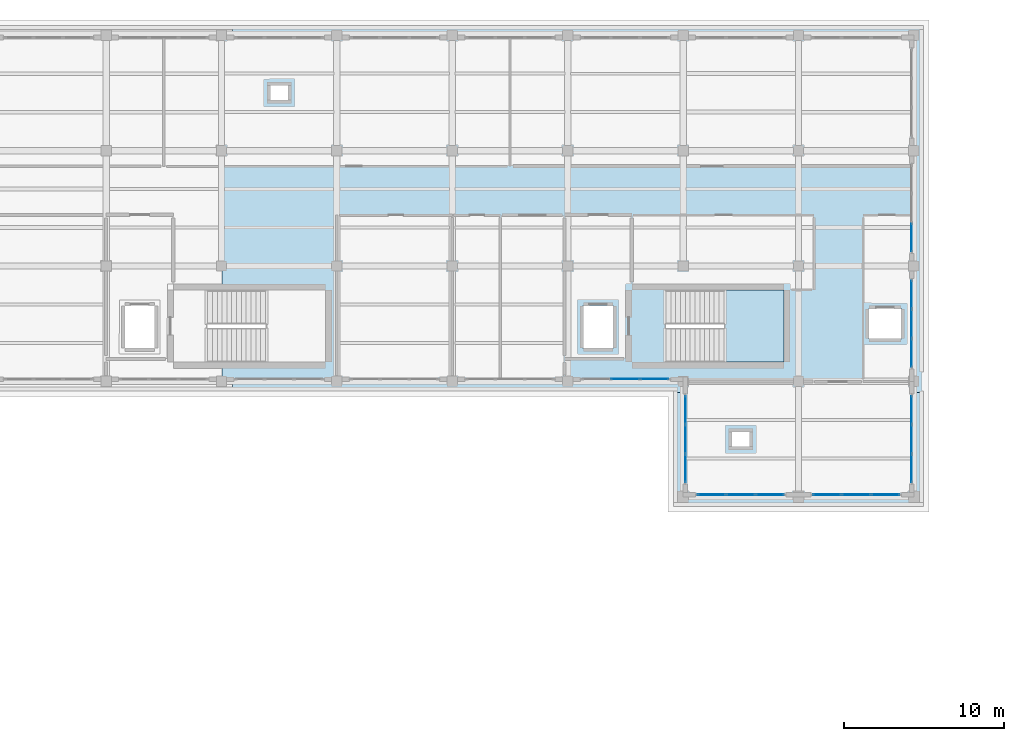
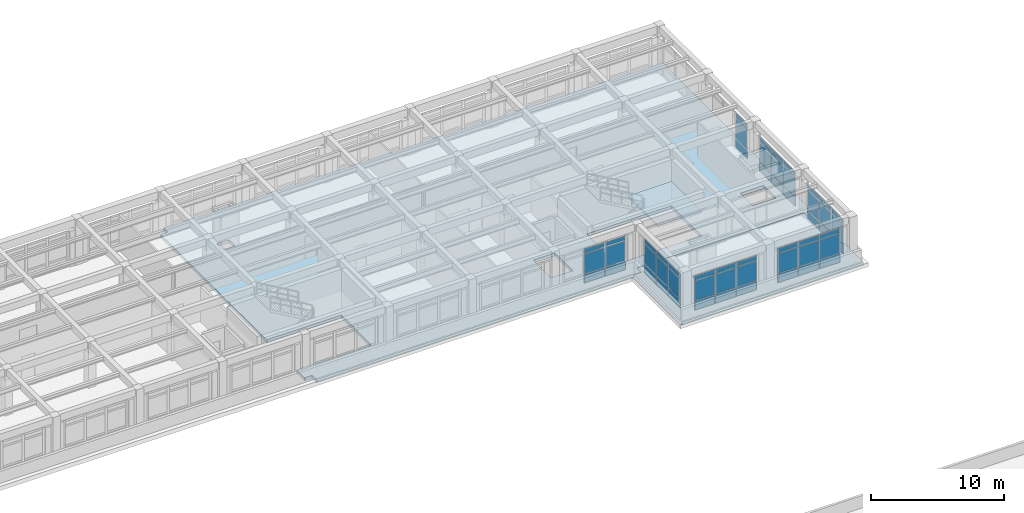
# One storey, part 40 of 55: 54 plates, 3 slabs, 8 elements without a shape of their own.
"""IFC4 building model written with IfcOpenShell, lengths in metres."""

import ifcopenshell
import ifcopenshell.guid

model = None  # the IFC model being written
_history = None  # IfcOwnerHistory: only IFC2X3 demands one
_inside = {}  # id of a spatial element -> (the spatial element, [elements in it])
_under = {}  # id of a project, library or spatial element -> (it, [spatial elements below it])
_declared = {}  # id of a project -> (the project, [libraries it declares])
_typed = {}  # id of a type object -> (the type object, [elements of that type])
_made_of = {}  # id of a material, layer set ... -> (it, [elements and type objects made of it])


def new_model(schema):
    """Start an empty IFC model of exactly this schema.

    Asked for "IFC4X3", IfcOpenShell would pick the latest addendum, in which some entities
    have other attributes; the version numbers below select the first issue.
    IFC2X3 requires an IfcOwnerHistory on every rooted entity: one is made here for all.
    """
    global model, _history
    if schema == "IFC4X3":
        model = ifcopenshell.file(schema_version=(4, 3, 0, 0))
    else:
        model = ifcopenshell.file(schema=schema)
    _inside.clear()
    _under.clear()
    _declared.clear()
    _typed.clear()
    _made_of.clear()
    _history = None
    if model.schema == "IFC2X3":
        org = make("IfcOrganization", Name="unknown")
        user = make(
            "IfcPersonAndOrganization",
            ThePerson=make("IfcPerson", FamilyName="unknown"),
            TheOrganization=org,
        )
        app = make(
            "IfcApplication",
            ApplicationDeveloper=org,
            Version="unknown",
            ApplicationFullName="unknown",
            ApplicationIdentifier="unknown",
        )
        _history = make(
            "IfcOwnerHistory",
            OwningUser=user,
            OwningApplication=app,
            ChangeAction="ADDED",
            CreationDate=0,
        )
    return model


def make(cls, **values):
    """One entity of the class cls with the attributes given. An attribute that is None is left unset."""
    return model.create_entity(
        cls, **{name: value for name, value in values.items() if value is not None}
    )


def rooted(cls, **values):
    """An entity with a GlobalId (a new one), such as an element, a storey or a relation."""
    return make(cls, GlobalId=ifcopenshell.guid.new(), OwnerHistory=_history, **values)


def si_unit(unit_type, name, prefix=None):
    """IfcSIUnit, for example si_unit("LENGTHUNIT", "METRE", prefix="MILLI")."""
    return make("IfcSIUnit", UnitType=unit_type, Prefix=prefix, Name=name)


def assignment(units):
    """IfcUnitAssignment: the units of a project."""
    return None if units is None else make("IfcUnitAssignment", Units=units)


def point(xyz):
    """IfcCartesianPoint."""
    return None if xyz is None else make("IfcCartesianPoint", Coordinates=xyz)


def direction(xyz):
    """IfcDirection."""
    return None if xyz is None else make("IfcDirection", DirectionRatios=xyz)


def frame(location, z_axis=None, x_axis=None):
    """IfcAxis2Placement3D, a coordinate frame: its origin and axes. An axis left out is left unset."""
    return make(
        "IfcAxis2Placement3D",
        Location=point(location),
        Axis=direction(z_axis),
        RefDirection=direction(x_axis),
    )


def frame_2d(location, x_axis=None):
    """IfcAxis2Placement2D, a coordinate frame in the plane: its origin and x axis."""
    return make(
        "IfcAxis2Placement2D", Location=point(location), RefDirection=direction(x_axis)
    )


def origin():
    """The frame at (0, 0, 0) with its axes left unset."""
    return frame((0.0, 0.0, 0.0))


def origin_2d():
    """The frame at (0, 0) in the plane with its x axis left unset."""
    return frame_2d((0.0, 0.0))


def place(relative_to, where):
    """IfcLocalPlacement: puts the frame where relative to a parent placement (None: the world)."""
    return make(
        "IfcLocalPlacement", PlacementRelTo=relative_to, RelativePlacement=where
    )


def context(
    kind, dimensions, precision=None, world=None, true_north=None, identifier=None
):
    """IfcGeometricRepresentationContext, for example the 3D "Model" context."""
    return make(
        "IfcGeometricRepresentationContext",
        ContextIdentifier=identifier,
        ContextType=kind,
        CoordinateSpaceDimension=dimensions,
        Precision=precision,
        WorldCoordinateSystem=world,
        TrueNorth=true_north,
    )


def subcontext(parent, identifier, kind, view, scale=None):
    """IfcGeometricRepresentationSubContext, for example "Body" below "Model"."""
    return make(
        "IfcGeometricRepresentationSubContext",
        ContextIdentifier=identifier,
        ContextType=kind,
        ParentContext=parent,
        TargetScale=scale,
        TargetView=view,
    )


def project(units=None, contexts=None):
    """IfcProject with its units and contexts."""
    return rooted(
        "IfcProject",
        Name="project",
        RepresentationContexts=contexts,
        UnitsInContext=assignment(units),
    )


def spatial(cls, under=None, at=None, **own):
    """A site, building, storey or space (cls), placed at a placement, below another one or the project."""
    s = rooted(cls, ObjectPlacement=at, **own)
    if under is not None:
        _under.setdefault(under.id(), (under, []))[1].append(s)
    return s


def polyline(points):
    """IfcPolyline through the points."""
    return make("IfcPolyline", Points=[point(p) for p in points])


def profile(cls, at=None, kind="AREA", **sizes):
    """A parametric profile (cls). Its sizes go by their IFC names, for example OverallWidth=200.0."""
    return make(cls, ProfileType=kind, Position=at, **sizes)


def rectangle(**sizes):
    """IfcRectangleProfileDef."""
    return profile("IfcRectangleProfileDef", **sizes)


def outline(outer, holes=None, kind="AREA"):
    """IfcArbitraryClosedProfileDef: a profile drawn as a closed curve; with holes, ...WithVoids."""
    if holes is None:
        return make("IfcArbitraryClosedProfileDef", ProfileType=kind, OuterCurve=outer)
    return make(
        "IfcArbitraryProfileDefWithVoids",
        ProfileType=kind,
        OuterCurve=outer,
        InnerCurves=holes,
    )


def extrude(swept, where, along, depth):
    """IfcExtrudedAreaSolid: the profile swept, set in the frame where, extruded along a direction by depth."""
    return make(
        "IfcExtrudedAreaSolid",
        SweptArea=swept,
        Position=where,
        ExtrudedDirection=direction(along),
        Depth=depth,
    )


def shape(context_of_items, identifier, shape_type, items):
    """IfcShapeRepresentation: the items that make up one representation, for example the "Body"."""
    return make(
        "IfcShapeRepresentation",
        ContextOfItems=context_of_items,
        RepresentationIdentifier=identifier,
        RepresentationType=shape_type,
        Items=items,
    )


def material(Name=None, Category=None):
    """IfcMaterial."""
    return make("IfcMaterial", Name=Name, Category=Category)


def layer(
    of_material, thickness, ventilated=None, Name=None, Category=None, Priority=None
):
    """IfcMaterialLayer: one layer of a wall or slab, of a material (None: an air gap)."""
    return make(
        "IfcMaterialLayer",
        Material=of_material,
        LayerThickness=thickness,
        IsVentilated=ventilated,
        Name=Name,
        Category=Category,
        Priority=Priority,
    )


def layer_set(layers, Name=None):
    """IfcMaterialLayerSet."""
    return make("IfcMaterialLayerSet", MaterialLayers=layers, LayerSetName=Name)


def made_of(thing, what):
    """Note that an element or type object is made of a material, layer set ...; save() writes the relation."""
    if what is not None:
        _made_of.setdefault(what.id(), (what, []))[1].append(thing)
    return thing


def type_object(cls, material=None, **own):
    """A type object (cls), such as IfcWallType, which elements share."""
    return made_of(rooted(cls, **own), material)


def element(
    cls,
    number,
    at=None,
    inside=None,
    cuts=None,
    type_object=None,
    material=None,
    context=None,
    identifier="Body",
    shape_type=None,
    held_by="IfcProductDefinitionShape",
    body=None,
    shapes=None,
    **own,
):
    """One element of the class cls, such as IfcWall. Its Tag is "e" and its number.

    at: its placement. inside: the storey or other place that contains it. cuts: it is an
    opening in that element (IfcRelVoidsElement). A single representation is given by context,
    identifier, shape_type and body (its items); several are given by shapes. held_by: the class
    of the entity that holds the representations. save() writes the other relations.
    """
    e = rooted(cls, Tag="e%d" % number, ObjectPlacement=at, **own)
    if body is not None:
        shapes = [shape(context, identifier, shape_type, body)]
    if shapes is not None:
        e.Representation = make(held_by, Representations=shapes)
    if inside is not None:
        _inside.setdefault(inside.id(), (inside, []))[1].append(e)
    if cuts is not None:
        rooted(
            "IfcRelVoidsElement", RelatingBuildingElement=cuts, RelatedOpeningElement=e
        )
    if type_object is not None:
        _typed.setdefault(type_object.id(), (type_object, []))[1].append(e)
    return made_of(e, material)


def aggregate(whole, parts):
    """IfcRelAggregates: a whole, such as a stair, and the parts it consists of."""
    return rooted("IfcRelAggregates", RelatingObject=whole, RelatedObjects=parts)


def save(model, path):
    """Write the relations noted so far, then the file.

    IfcRelAggregates (storeys below a building ...), IfcRelContainedInSpatialStructure (elements
    in a storey), IfcRelDefinesByType, IfcRelAssociatesMaterial and IfcRelDeclares: one each for
    every whole, place, type object, material and project.
    """
    for whole, parts in _under.values():
        aggregate(whole, parts)
    for where, things in _inside.values():
        rooted(
            "IfcRelContainedInSpatialStructure",
            RelatedElements=things,
            RelatingStructure=where,
        )
    for kind, things in _typed.values():
        rooted("IfcRelDefinesByType", RelatedObjects=things, RelatingType=kind)
    for what, things in _made_of.values():
        rooted("IfcRelAssociatesMaterial", RelatedObjects=things, RelatingMaterial=what)
    for by, libraries in _declared.values():
        rooted("IfcRelDeclares", RelatingContext=by, RelatedDefinitions=libraries)
    model.write(path)


model = new_model("IFC4")

# Units and contexts
model_context = context("Model", 3, precision=1e-05, world=origin(), true_north=direction((0.0, 1.0)))
body_context = subcontext(model_context, "Body", "Model", "MODEL_VIEW")
ifc_project = project(units=[si_unit("LENGTHUNIT", "METRE"), si_unit("AREAUNIT", "SQUARE_METRE"), si_unit("VOLUMEUNIT", "CUBIC_METRE"), si_unit("PLANEANGLEUNIT", "RADIAN"), si_unit("MASSUNIT", "GRAM", prefix="KILO")], contexts=[model_context])

# Site, building, storey
site_placement = place(None, origin())
site = spatial("IfcSite", under=ifc_project, at=site_placement, CompositionType="ELEMENT")
building_placement = place(site_placement, origin())
building = spatial("IfcBuilding", under=site, at=building_placement, Name="Solenvale Faculty of Natural Sciences", CompositionType="ELEMENT")
storey_placement = place(building_placement, frame((0.0, 0.0, 22.5)))
storey = spatial("IfcBuildingStorey", under=building, at=storey_placement, Name="L05", CompositionType="ELEMENT", Elevation=22.5)

# Curtain wall, plates
ifc_material_1 = material(Name="Anodised bronze aluminium", Category="aluminium")
ifc_layer_1 = layer(ifc_material_1, 0.179931640625)
ifc_layer_set_1 = layer_set([ifc_layer_1], Name="Anodised bronze aluminium")
curtain_wall_type = type_object("IfcCurtainWallType", Name="CW-TWR-MOD", PredefinedType="USERDEFINED", material=ifc_layer_set_1)
curtain_wall_1_placement = place(storey_placement, origin())
curtain_wall_1 = element("IfcCurtainWall", 1, at=curtain_wall_1_placement, inside=storey, type_object=curtain_wall_type, Name="L05 Curtain Wall CW-L05-P2-E1-B1", ObjectType="UNITISED CURTAIN WALL", PredefinedType="USERDEFINED")
ifc_material_2 = material(Name="North-light skylight glass", Category="glass")
ifc_layer_2 = layer(ifc_material_2, 0.028076171875)
ifc_layer_set_2 = layer_set([ifc_layer_2], Name="North-light skylight glass")
plate_type_1 = type_object("IfcPlateType", Name="CWP-PNL-28", PredefinedType="CURTAIN_PANEL", material=ifc_layer_set_2)
plate_1_placement = place(storey_placement, frame((151.0576171875, 88.185302734375, 0.074951171875), z_axis=(0.0, 0.0, 1.0), x_axis=(0.0, 1.0, 0.0)))
plate_1 = element("IfcPlate", 2, at=plate_1_placement, type_object=plate_type_1, Name="CW-04 panel 1.1", PredefinedType="CURTAIN_PANEL", context=body_context, shape_type="SweptSolid", body=[
    extrude(rectangle(XDim=1.720947265625, YDim=0.028076171875, at=origin_2d()), origin(), (0.0, 0.0, 1.0), 0.78759765625),
])
plate_2_placement = place(storey_placement, frame((151.0576171875, 88.185302734375, 0.9375), z_axis=(0.0, 0.0, 1.0), x_axis=(0.0, 1.0, 0.0)))
plate_2 = element("IfcPlate", 3, at=plate_2_placement, type_object=plate_type_1, Name="CW-04 panel 1.2", PredefinedType="CURTAIN_PANEL", context=body_context, shape_type="SweptSolid", body=[
    extrude(rectangle(XDim=1.720947265625, YDim=0.028076171875, at=origin_2d()), origin(), (0.0, 0.0, 1.0), 1.784912109375),
])
plate_3_placement = place(storey_placement, frame((151.0576171875, 88.185302734375, 2.79736328125), z_axis=(0.0, 0.0, 1.0), x_axis=(0.0, 1.0, 0.0)))
plate_3 = element("IfcPlate", 4, at=plate_3_placement, type_object=plate_type_1, Name="CW-04 panel 1.3", PredefinedType="CURTAIN_PANEL", context=body_context, shape_type="SweptSolid", body=[
    extrude(rectangle(XDim=1.720947265625, YDim=0.028076171875, at=origin_2d()), origin(), (0.0, 0.0, 1.0), 0.387451171875),
])
plate_4_placement = place(storey_placement, frame((151.0576171875, 90.0, 0.074951171875), z_axis=(0.0, 0.0, 1.0), x_axis=(0.0, 1.0, 0.0)))
plate_4 = element("IfcPlate", 5, at=plate_4_placement, type_object=plate_type_1, Name="CW-04 panel 2.1", PredefinedType="CURTAIN_PANEL", context=body_context, shape_type="SweptSolid", body=[
    extrude(rectangle(XDim=1.75830078125, YDim=0.028076171875, at=origin_2d()), origin(), (0.0, 0.0, 1.0), 0.78759765625),
])
plate_5_placement = place(storey_placement, frame((151.0576171875, 90.0, 0.9375), z_axis=(0.0, 0.0, 1.0), x_axis=(0.0, 1.0, 0.0)))
plate_5 = element("IfcPlate", 6, at=plate_5_placement, type_object=plate_type_1, Name="CW-04 panel 2.2", PredefinedType="CURTAIN_PANEL", context=body_context, shape_type="SweptSolid", body=[
    extrude(rectangle(XDim=1.75830078125, YDim=0.028076171875, at=origin_2d()), origin(), (0.0, 0.0, 1.0), 1.784912109375),
])
plate_6_placement = place(storey_placement, frame((151.0576171875, 90.0, 2.79736328125), z_axis=(0.0, 0.0, 1.0), x_axis=(0.0, 1.0, 0.0)))
plate_6 = element("IfcPlate", 7, at=plate_6_placement, type_object=plate_type_1, Name="CW-04 panel 2.3", PredefinedType="CURTAIN_PANEL", context=body_context, shape_type="SweptSolid", body=[
    extrude(rectangle(XDim=1.75830078125, YDim=0.028076171875, at=origin_2d()), origin(), (0.0, 0.0, 1.0), 0.387451171875),
])
plate_7_placement = place(storey_placement, frame((151.0576171875, 91.814697265625, 0.074951171875), z_axis=(0.0, 0.0, 1.0), x_axis=(0.0, 1.0, 0.0)))
plate_7 = element("IfcPlate", 8, at=plate_7_placement, type_object=plate_type_1, Name="CW-04 panel 3.1", PredefinedType="CURTAIN_PANEL", context=body_context, shape_type="SweptSolid", body=[
    extrude(rectangle(XDim=1.720947265625, YDim=0.028076171875, at=origin_2d()), origin(), (0.0, 0.0, 1.0), 0.78759765625),
])
plate_8_placement = place(storey_placement, frame((151.0576171875, 91.814697265625, 0.9375), z_axis=(0.0, 0.0, 1.0), x_axis=(0.0, 1.0, 0.0)))
plate_8 = element("IfcPlate", 9, at=plate_8_placement, type_object=plate_type_1, Name="CW-04 panel 3.2", PredefinedType="CURTAIN_PANEL", context=body_context, shape_type="SweptSolid", body=[
    extrude(rectangle(XDim=1.720947265625, YDim=0.028076171875, at=origin_2d()), origin(), (0.0, 0.0, 1.0), 1.784912109375),
])
plate_9_placement = place(storey_placement, frame((151.0576171875, 91.814697265625, 2.79736328125), z_axis=(0.0, 0.0, 1.0), x_axis=(0.0, 1.0, 0.0)))
plate_9 = element("IfcPlate", 10, at=plate_9_placement, type_object=plate_type_1, Name="CW-04 panel 3.3", PredefinedType="CURTAIN_PANEL", context=body_context, shape_type="SweptSolid", body=[
    extrude(rectangle(XDim=1.720947265625, YDim=0.028076171875, at=origin_2d()), origin(), (0.0, 0.0, 1.0), 0.387451171875),
])
aggregate(curtain_wall_1, [plate_1, plate_2, plate_3, plate_4, plate_5, plate_6, plate_7, plate_8, plate_9])

curtain_wall_2_placement = place(storey_placement, origin())
curtain_wall_2 = element("IfcCurtainWall", 11, at=curtain_wall_2_placement, inside=storey, type_object=curtain_wall_type, Name="L05 Curtain Wall CW-L05-P2-E2-B1", ObjectType="UNITISED CURTAIN WALL", PredefinedType="USERDEFINED")
ifc_material_3 = material(Name="Triple low-E insulated glass", Category="glass")
ifc_layer_3 = layer(ifc_material_3, 0.031982421875)
ifc_layer_set_3 = layer_set([ifc_layer_3], Name="Triple low-E insulated glass")
plate_type_2 = type_object("IfcPlateType", Name="CWP-PNL-32", PredefinedType="CURTAIN_PANEL", material=ifc_layer_set_3)
plate_10_placement = place(storey_placement, frame((151.0576171875, 95.385498046875, 0.074951171875), z_axis=(0.0, 0.0, 1.0), x_axis=(0.0, 1.0, 0.0)))
plate_10 = element("IfcPlate", 12, at=plate_10_placement, type_object=plate_type_2, Name="CW-04 panel 1.1", PredefinedType="CURTAIN_PANEL", context=body_context, shape_type="SweptSolid", body=[
    extrude(rectangle(XDim=1.720947265625, YDim=0.031982421875, at=origin_2d()), origin(), (0.0, 0.0, 1.0), 0.78759765625),
])
plate_11_placement = place(storey_placement, frame((151.0576171875, 95.385498046875, 0.9375), z_axis=(0.0, 0.0, 1.0), x_axis=(0.0, 1.0, 0.0)))
plate_11 = element("IfcPlate", 13, at=plate_11_placement, type_object=plate_type_2, Name="CW-04 panel 1.2", PredefinedType="CURTAIN_PANEL", context=body_context, shape_type="SweptSolid", body=[
    extrude(rectangle(XDim=1.720947265625, YDim=0.031982421875, at=origin_2d()), origin(), (0.0, 0.0, 1.0), 1.784912109375),
])
plate_12_placement = place(storey_placement, frame((151.0576171875, 95.385498046875, 2.79736328125), z_axis=(0.0, 0.0, 1.0), x_axis=(0.0, 1.0, 0.0)))
plate_12 = element("IfcPlate", 14, at=plate_12_placement, type_object=plate_type_2, Name="CW-04 panel 1.3", PredefinedType="CURTAIN_PANEL", context=body_context, shape_type="SweptSolid", body=[
    extrude(rectangle(XDim=1.720947265625, YDim=0.031982421875, at=origin_2d()), origin(), (0.0, 0.0, 1.0), 0.387451171875),
])
plate_13_placement = place(storey_placement, frame((151.0576171875, 97.199951171875, 0.074951171875), z_axis=(0.0, 0.0, 1.0), x_axis=(0.0, 1.0, 0.0)))
plate_13 = element("IfcPlate", 15, at=plate_13_placement, type_object=plate_type_2, Name="CW-04 panel 2.1", PredefinedType="CURTAIN_PANEL", context=body_context, shape_type="SweptSolid", body=[
    extrude(rectangle(XDim=1.75830078125, YDim=0.031982421875, at=origin_2d()), origin(), (0.0, 0.0, 1.0), 0.78759765625),
])
plate_14_placement = place(storey_placement, frame((151.0576171875, 97.199951171875, 0.9375), z_axis=(0.0, 0.0, 1.0), x_axis=(0.0, 1.0, 0.0)))
plate_14 = element("IfcPlate", 16, at=plate_14_placement, type_object=plate_type_2, Name="CW-04 panel 2.2", PredefinedType="CURTAIN_PANEL", context=body_context, shape_type="SweptSolid", body=[
    extrude(rectangle(XDim=1.75830078125, YDim=0.031982421875, at=origin_2d()), origin(), (0.0, 0.0, 1.0), 1.784912109375),
])
plate_15_placement = place(storey_placement, frame((151.0576171875, 97.199951171875, 2.79736328125), z_axis=(0.0, 0.0, 1.0), x_axis=(0.0, 1.0, 0.0)))
plate_15 = element("IfcPlate", 17, at=plate_15_placement, type_object=plate_type_2, Name="CW-04 panel 2.3", PredefinedType="CURTAIN_PANEL", context=body_context, shape_type="SweptSolid", body=[
    extrude(rectangle(XDim=1.75830078125, YDim=0.031982421875, at=origin_2d()), origin(), (0.0, 0.0, 1.0), 0.387451171875),
])
plate_16_placement = place(storey_placement, frame((151.0576171875, 99.0146484375, 0.074951171875), z_axis=(0.0, 0.0, 1.0), x_axis=(0.0, 1.0, 0.0)))
plate_16 = element("IfcPlate", 18, at=plate_16_placement, type_object=plate_type_2, Name="CW-04 panel 3.1", PredefinedType="CURTAIN_PANEL", context=body_context, shape_type="SweptSolid", body=[
    extrude(rectangle(XDim=1.720947265625, YDim=0.031982421875, at=origin_2d()), origin(), (0.0, 0.0, 1.0), 0.78759765625),
])
plate_17_placement = place(storey_placement, frame((151.0576171875, 99.0146484375, 0.9375), z_axis=(0.0, 0.0, 1.0), x_axis=(0.0, 1.0, 0.0)))
plate_17 = element("IfcPlate", 19, at=plate_17_placement, type_object=plate_type_2, Name="CW-04 panel 3.2", PredefinedType="CURTAIN_PANEL", context=body_context, shape_type="SweptSolid", body=[
    extrude(rectangle(XDim=1.720947265625, YDim=0.031982421875, at=origin_2d()), origin(), (0.0, 0.0, 1.0), 1.784912109375),
])
plate_18_placement = place(storey_placement, frame((151.0576171875, 99.0146484375, 2.79736328125), z_axis=(0.0, 0.0, 1.0), x_axis=(0.0, 1.0, 0.0)))
plate_18 = element("IfcPlate", 20, at=plate_18_placement, type_object=plate_type_2, Name="CW-04 panel 3.3", PredefinedType="CURTAIN_PANEL", context=body_context, shape_type="SweptSolid", body=[
    extrude(rectangle(XDim=1.720947265625, YDim=0.031982421875, at=origin_2d()), origin(), (0.0, 0.0, 1.0), 0.387451171875),
])
aggregate(curtain_wall_2, [plate_10, plate_11, plate_12, plate_13, plate_14, plate_15, plate_16, plate_17, plate_18])

curtain_wall_3_placement = place(storey_placement, origin())
curtain_wall_3 = element("IfcCurtainWall", 21, at=curtain_wall_3_placement, inside=storey, type_object=curtain_wall_type, Name="L05 Curtain Wall CW-L05-P2-E2-B2", ObjectType="UNITISED CURTAIN WALL", PredefinedType="USERDEFINED")
ifc_layer_4 = layer(ifc_material_3, 0.035888671875)
ifc_layer_set_4 = layer_set([ifc_layer_4], Name="Triple low-E insulated glass")
plate_type_3 = type_object("IfcPlateType", Name="CWP-PNL-36", PredefinedType="CURTAIN_PANEL", material=ifc_layer_set_4)
plate_19_placement = place(storey_placement, frame((151.0576171875, 102.58544921875, 0.074951171875), z_axis=(0.0, 0.0, 1.0), x_axis=(0.0, 1.0, 0.0)))
plate_19 = element("IfcPlate", 22, at=plate_19_placement, type_object=plate_type_3, Name="CW-04 panel 1.1", PredefinedType="CURTAIN_PANEL", context=body_context, shape_type="SweptSolid", body=[
    extrude(rectangle(XDim=1.720947265625, YDim=0.035888671875, at=origin_2d()), origin(), (0.0, 0.0, 1.0), 0.78759765625),
])
plate_20_placement = place(storey_placement, frame((151.0576171875, 102.58544921875, 0.9375), z_axis=(0.0, 0.0, 1.0), x_axis=(0.0, 1.0, 0.0)))
plate_20 = element("IfcPlate", 23, at=plate_20_placement, type_object=plate_type_3, Name="CW-04 panel 1.2", PredefinedType="CURTAIN_PANEL", context=body_context, shape_type="SweptSolid", body=[
    extrude(rectangle(XDim=1.720947265625, YDim=0.035888671875, at=origin_2d()), origin(), (0.0, 0.0, 1.0), 1.784912109375),
])
plate_21_placement = place(storey_placement, frame((151.0576171875, 102.58544921875, 2.79736328125), z_axis=(0.0, 0.0, 1.0), x_axis=(0.0, 1.0, 0.0)))
plate_21 = element("IfcPlate", 24, at=plate_21_placement, type_object=plate_type_3, Name="CW-04 panel 1.3", PredefinedType="CURTAIN_PANEL", context=body_context, shape_type="SweptSolid", body=[
    extrude(rectangle(XDim=1.720947265625, YDim=0.035888671875, at=origin_2d()), origin(), (0.0, 0.0, 1.0), 0.387451171875),
])
aggregate(curtain_wall_3, [plate_19, plate_20, plate_21])

curtain_wall_4_placement = place(storey_placement, origin())
curtain_wall_4 = element("IfcCurtainWall", 25, at=curtain_wall_4_placement, inside=storey, type_object=curtain_wall_type, Name="L05 Curtain Wall CW-L05-P2-E5-B8", ObjectType="UNITISED CURTAIN WALL", PredefinedType="USERDEFINED")
ifc_layer_5 = layer(ifc_material_3, 0.0400390625)
ifc_layer_set_5 = layer_set([ifc_layer_5], Name="Triple low-E insulated glass")
plate_type_4 = type_object("IfcPlateType", Name="CWP-PNL-40", PredefinedType="CURTAIN_PANEL", material=ifc_layer_set_5)
plate_22_placement = place(storey_placement, frame((133.199951171875, 93.742431640625, 0.074951171875), z_axis=(0.0, 0.0, 1.0), x_axis=(1.0, 0.0, 0.0)))
plate_22 = element("IfcPlate", 26, at=plate_22_placement, type_object=plate_type_4, Name="CW-04 panel 2.1", PredefinedType="CURTAIN_PANEL", context=body_context, shape_type="SweptSolid", body=[
    extrude(rectangle(XDim=1.75830078125, YDim=0.0400390625, at=origin_2d()), origin(), (0.0, 0.0, 1.0), 0.78759765625),
])
plate_23_placement = place(storey_placement, frame((133.199951171875, 93.742431640625, 0.9375), z_axis=(0.0, 0.0, 1.0), x_axis=(1.0, 0.0, 0.0)))
plate_23 = element("IfcPlate", 27, at=plate_23_placement, type_object=plate_type_4, Name="CW-04 panel 2.2", PredefinedType="CURTAIN_PANEL", context=body_context, shape_type="SweptSolid", body=[
    extrude(rectangle(XDim=1.75830078125, YDim=0.0400390625, at=origin_2d()), origin(), (0.0, 0.0, 1.0), 1.784912109375),
])
plate_24_placement = place(storey_placement, frame((133.199951171875, 93.742431640625, 2.79736328125), z_axis=(0.0, 0.0, 1.0), x_axis=(1.0, 0.0, 0.0)))
plate_24 = element("IfcPlate", 28, at=plate_24_placement, type_object=plate_type_4, Name="CW-04 panel 2.3", PredefinedType="CURTAIN_PANEL", context=body_context, shape_type="SweptSolid", body=[
    extrude(rectangle(XDim=1.75830078125, YDim=0.0400390625, at=origin_2d()), origin(), (0.0, 0.0, 1.0), 0.387451171875),
])
plate_25_placement = place(storey_placement, frame((135.0146484375, 93.742431640625, 0.074951171875), z_axis=(0.0, 0.0, 1.0), x_axis=(1.0, 0.0, 0.0)))
plate_25 = element("IfcPlate", 29, at=plate_25_placement, type_object=plate_type_4, Name="CW-04 panel 3.1", PredefinedType="CURTAIN_PANEL", context=body_context, shape_type="SweptSolid", body=[
    extrude(rectangle(XDim=1.720947265625, YDim=0.0400390625, at=origin_2d()), origin(), (0.0, 0.0, 1.0), 0.78759765625),
])
plate_26_placement = place(storey_placement, frame((135.0146484375, 93.742431640625, 0.9375), z_axis=(0.0, 0.0, 1.0), x_axis=(1.0, 0.0, 0.0)))
plate_26 = element("IfcPlate", 30, at=plate_26_placement, type_object=plate_type_4, Name="CW-04 panel 3.2", PredefinedType="CURTAIN_PANEL", context=body_context, shape_type="SweptSolid", body=[
    extrude(rectangle(XDim=1.720947265625, YDim=0.0400390625, at=origin_2d()), origin(), (0.0, 0.0, 1.0), 1.784912109375),
])
plate_27_placement = place(storey_placement, frame((135.0146484375, 93.742431640625, 2.79736328125), z_axis=(0.0, 0.0, 1.0), x_axis=(1.0, 0.0, 0.0)))
plate_27 = element("IfcPlate", 31, at=plate_27_placement, type_object=plate_type_4, Name="CW-04 panel 3.3", PredefinedType="CURTAIN_PANEL", context=body_context, shape_type="SweptSolid", body=[
    extrude(rectangle(XDim=1.720947265625, YDim=0.0400390625, at=origin_2d()), origin(), (0.0, 0.0, 1.0), 0.387451171875),
])
aggregate(curtain_wall_4, [plate_22, plate_23, plate_24, plate_25, plate_26, plate_27])

curtain_wall_5_placement = place(storey_placement, origin())
curtain_wall_5 = element("IfcCurtainWall", 32, at=curtain_wall_5_placement, inside=storey, type_object=curtain_wall_type, Name="L05 Curtain Wall CW-L05-P2-E6-B1", ObjectType="UNITISED CURTAIN WALL", PredefinedType="USERDEFINED")
ifc_layer_6 = layer(ifc_material_1, 0.048095703125)
ifc_layer_set_6 = layer_set([ifc_layer_6], Name="Anodised bronze aluminium")
plate_type_5 = type_object("IfcPlateType", Name="CWP-PNL-48", PredefinedType="CURTAIN_PANEL", material=ifc_layer_set_6)
plate_28_placement = place(storey_placement, frame((136.9423828125, 91.814697265625, 0.074951171875), z_axis=(0.0, 0.0, 1.0), x_axis=(0.0, -1.0, 0.0)))
plate_28 = element("IfcPlate", 33, at=plate_28_placement, type_object=plate_type_5, Name="CW-04 panel 1.1", PredefinedType="CURTAIN_PANEL", context=body_context, shape_type="SweptSolid", body=[
    extrude(rectangle(XDim=1.720947265625, YDim=0.048095703125, at=origin_2d()), origin(), (0.0, 0.0, 1.0), 0.78759765625),
])
plate_29_placement = place(storey_placement, frame((136.9423828125, 91.814697265625, 0.9375), z_axis=(0.0, 0.0, 1.0), x_axis=(0.0, -1.0, 0.0)))
plate_29 = element("IfcPlate", 34, at=plate_29_placement, type_object=plate_type_5, Name="CW-04 panel 1.2", PredefinedType="CURTAIN_PANEL", context=body_context, shape_type="SweptSolid", body=[
    extrude(rectangle(XDim=1.720947265625, YDim=0.048095703125, at=origin_2d()), origin(), (0.0, 0.0, 1.0), 1.784912109375),
])
plate_30_placement = place(storey_placement, frame((136.9423828125, 91.814697265625, 2.79736328125), z_axis=(0.0, 0.0, 1.0), x_axis=(0.0, -1.0, 0.0)))
plate_30 = element("IfcPlate", 35, at=plate_30_placement, type_object=plate_type_5, Name="CW-04 panel 1.3", PredefinedType="CURTAIN_PANEL", context=body_context, shape_type="SweptSolid", body=[
    extrude(rectangle(XDim=1.720947265625, YDim=0.048095703125, at=origin_2d()), origin(), (0.0, 0.0, 1.0), 0.387451171875),
])
plate_31_placement = place(storey_placement, frame((136.9423828125, 90.0, 0.074951171875), z_axis=(0.0, 0.0, 1.0), x_axis=(0.0, -1.0, 0.0)))
plate_31 = element("IfcPlate", 36, at=plate_31_placement, type_object=plate_type_5, Name="CW-04 panel 2.1", PredefinedType="CURTAIN_PANEL", context=body_context, shape_type="SweptSolid", body=[
    extrude(rectangle(XDim=1.75830078125, YDim=0.048095703125, at=origin_2d()), origin(), (0.0, 0.0, 1.0), 0.78759765625),
])
plate_32_placement = place(storey_placement, frame((136.9423828125, 90.0, 0.9375), z_axis=(0.0, 0.0, 1.0), x_axis=(0.0, -1.0, 0.0)))
plate_32 = element("IfcPlate", 37, at=plate_32_placement, type_object=plate_type_5, Name="CW-04 panel 2.2", PredefinedType="CURTAIN_PANEL", context=body_context, shape_type="SweptSolid", body=[
    extrude(rectangle(XDim=1.75830078125, YDim=0.048095703125, at=origin_2d()), origin(), (0.0, 0.0, 1.0), 1.784912109375),
])
plate_33_placement = place(storey_placement, frame((136.9423828125, 90.0, 2.79736328125), z_axis=(0.0, 0.0, 1.0), x_axis=(0.0, -1.0, 0.0)))
plate_33 = element("IfcPlate", 38, at=plate_33_placement, type_object=plate_type_5, Name="CW-04 panel 2.3", PredefinedType="CURTAIN_PANEL", context=body_context, shape_type="SweptSolid", body=[
    extrude(rectangle(XDim=1.75830078125, YDim=0.048095703125, at=origin_2d()), origin(), (0.0, 0.0, 1.0), 0.387451171875),
])
plate_34_placement = place(storey_placement, frame((136.9423828125, 88.185302734375, 0.074951171875), z_axis=(0.0, 0.0, 1.0), x_axis=(0.0, -1.0, 0.0)))
plate_34 = element("IfcPlate", 39, at=plate_34_placement, type_object=plate_type_5, Name="CW-04 panel 3.1", PredefinedType="CURTAIN_PANEL", context=body_context, shape_type="SweptSolid", body=[
    extrude(rectangle(XDim=1.720947265625, YDim=0.048095703125, at=origin_2d()), origin(), (0.0, 0.0, 1.0), 0.78759765625),
])
plate_35_placement = place(storey_placement, frame((136.9423828125, 88.185302734375, 0.9375), z_axis=(0.0, 0.0, 1.0), x_axis=(0.0, -1.0, 0.0)))
plate_35 = element("IfcPlate", 40, at=plate_35_placement, type_object=plate_type_5, Name="CW-04 panel 3.2", PredefinedType="CURTAIN_PANEL", context=body_context, shape_type="SweptSolid", body=[
    extrude(rectangle(XDim=1.720947265625, YDim=0.048095703125, at=origin_2d()), origin(), (0.0, 0.0, 1.0), 1.784912109375),
])
plate_36_placement = place(storey_placement, frame((136.9423828125, 88.185302734375, 2.79736328125), z_axis=(0.0, 0.0, 1.0), x_axis=(0.0, -1.0, 0.0)))
plate_36 = element("IfcPlate", 41, at=plate_36_placement, type_object=plate_type_5, Name="CW-04 panel 3.3", PredefinedType="CURTAIN_PANEL", context=body_context, shape_type="SweptSolid", body=[
    extrude(rectangle(XDim=1.720947265625, YDim=0.048095703125, at=origin_2d()), origin(), (0.0, 0.0, 1.0), 0.387451171875),
])
aggregate(curtain_wall_5, [plate_28, plate_29, plate_30, plate_31, plate_32, plate_33, plate_34, plate_35, plate_36])

curtain_wall_6_placement = place(storey_placement, origin())
curtain_wall_6 = element("IfcCurtainWall", 42, at=curtain_wall_6_placement, inside=storey, type_object=curtain_wall_type, Name="L05 Curtain Wall CW-L05-P2-E7-B1", ObjectType="UNITISED CURTAIN WALL", PredefinedType="USERDEFINED")
ifc_layer_7 = layer(ifc_material_1, 0.053955078125)
ifc_layer_set_7 = layer_set([ifc_layer_7], Name="Anodised bronze aluminium")
plate_type_6 = type_object("IfcPlateType", Name="CWP-PNL-54", PredefinedType="CURTAIN_PANEL", material=ifc_layer_set_7)
plate_37_placement = place(storey_placement, frame((138.58544921875, 86.54248046875, 0.074951171875), z_axis=(0.0, 0.0, 1.0), x_axis=(1.0, 0.0, 0.0)))
plate_37 = element("IfcPlate", 43, at=plate_37_placement, type_object=plate_type_6, Name="CW-04 panel 1.1", PredefinedType="CURTAIN_PANEL", context=body_context, shape_type="SweptSolid", body=[
    extrude(rectangle(XDim=1.720947265625, YDim=0.053955078125, at=origin_2d()), origin(), (0.0, 0.0, 1.0), 0.78759765625),
])
plate_38_placement = place(storey_placement, frame((138.58544921875, 86.54248046875, 0.9375), z_axis=(0.0, 0.0, 1.0), x_axis=(1.0, 0.0, 0.0)))
plate_38 = element("IfcPlate", 44, at=plate_38_placement, type_object=plate_type_6, Name="CW-04 panel 1.2", PredefinedType="CURTAIN_PANEL", context=body_context, shape_type="SweptSolid", body=[
    extrude(rectangle(XDim=1.720947265625, YDim=0.053955078125, at=origin_2d()), origin(), (0.0, 0.0, 1.0), 1.784912109375),
])
plate_39_placement = place(storey_placement, frame((138.58544921875, 86.54248046875, 2.79736328125), z_axis=(0.0, 0.0, 1.0), x_axis=(1.0, 0.0, 0.0)))
plate_39 = element("IfcPlate", 45, at=plate_39_placement, type_object=plate_type_6, Name="CW-04 panel 1.3", PredefinedType="CURTAIN_PANEL", context=body_context, shape_type="SweptSolid", body=[
    extrude(rectangle(XDim=1.720947265625, YDim=0.053955078125, at=origin_2d()), origin(), (0.0, 0.0, 1.0), 0.387451171875),
])
plate_40_placement = place(storey_placement, frame((140.39990234375, 86.54248046875, 0.074951171875), z_axis=(0.0, 0.0, 1.0), x_axis=(1.0, 0.0, 0.0)))
plate_40 = element("IfcPlate", 46, at=plate_40_placement, type_object=plate_type_6, Name="CW-04 panel 2.1", PredefinedType="CURTAIN_PANEL", context=body_context, shape_type="SweptSolid", body=[
    extrude(rectangle(XDim=1.75830078125, YDim=0.053955078125, at=origin_2d()), origin(), (0.0, 0.0, 1.0), 0.78759765625),
])
plate_41_placement = place(storey_placement, frame((140.39990234375, 86.54248046875, 0.9375), z_axis=(0.0, 0.0, 1.0), x_axis=(1.0, 0.0, 0.0)))
plate_41 = element("IfcPlate", 47, at=plate_41_placement, type_object=plate_type_6, Name="CW-04 panel 2.2", PredefinedType="CURTAIN_PANEL", context=body_context, shape_type="SweptSolid", body=[
    extrude(rectangle(XDim=1.75830078125, YDim=0.053955078125, at=origin_2d()), origin(), (0.0, 0.0, 1.0), 1.784912109375),
])
plate_42_placement = place(storey_placement, frame((140.39990234375, 86.54248046875, 2.79736328125), z_axis=(0.0, 0.0, 1.0), x_axis=(1.0, 0.0, 0.0)))
plate_42 = element("IfcPlate", 48, at=plate_42_placement, type_object=plate_type_6, Name="CW-04 panel 2.3", PredefinedType="CURTAIN_PANEL", context=body_context, shape_type="SweptSolid", body=[
    extrude(rectangle(XDim=1.75830078125, YDim=0.053955078125, at=origin_2d()), origin(), (0.0, 0.0, 1.0), 0.387451171875),
])
plate_43_placement = place(storey_placement, frame((142.214599609375, 86.54248046875, 0.074951171875), z_axis=(0.0, 0.0, 1.0), x_axis=(1.0, 0.0, 0.0)))
plate_43 = element("IfcPlate", 49, at=plate_43_placement, type_object=plate_type_6, Name="CW-04 panel 3.1", PredefinedType="CURTAIN_PANEL", context=body_context, shape_type="SweptSolid", body=[
    extrude(rectangle(XDim=1.720947265625, YDim=0.053955078125, at=origin_2d()), origin(), (0.0, 0.0, 1.0), 0.78759765625),
])
plate_44_placement = place(storey_placement, frame((142.214599609375, 86.54248046875, 0.9375), z_axis=(0.0, 0.0, 1.0), x_axis=(1.0, 0.0, 0.0)))
plate_44 = element("IfcPlate", 50, at=plate_44_placement, type_object=plate_type_6, Name="CW-04 panel 3.2", PredefinedType="CURTAIN_PANEL", context=body_context, shape_type="SweptSolid", body=[
    extrude(rectangle(XDim=1.720947265625, YDim=0.053955078125, at=origin_2d()), origin(), (0.0, 0.0, 1.0), 1.784912109375),
])
plate_45_placement = place(storey_placement, frame((142.214599609375, 86.54248046875, 2.79736328125), z_axis=(0.0, 0.0, 1.0), x_axis=(1.0, 0.0, 0.0)))
plate_45 = element("IfcPlate", 51, at=plate_45_placement, type_object=plate_type_6, Name="CW-04 panel 3.3", PredefinedType="CURTAIN_PANEL", context=body_context, shape_type="SweptSolid", body=[
    extrude(rectangle(XDim=1.720947265625, YDim=0.053955078125, at=origin_2d()), origin(), (0.0, 0.0, 1.0), 0.387451171875),
])
aggregate(curtain_wall_6, [plate_37, plate_38, plate_39, plate_40, plate_41, plate_42, plate_43, plate_44, plate_45])

curtain_wall_7_placement = place(storey_placement, origin())
curtain_wall_7 = element("IfcCurtainWall", 52, at=curtain_wall_7_placement, inside=storey, type_object=curtain_wall_type, Name="L05 Curtain Wall CW-L05-P2-E7-B2", ObjectType="UNITISED CURTAIN WALL", PredefinedType="USERDEFINED")
ifc_layer_8 = layer(ifc_material_1, 0.06005859375)
ifc_layer_set_8 = layer_set([ifc_layer_8], Name="Anodised bronze aluminium")
plate_type_7 = type_object("IfcPlateType", Name="CWP-PNL-60", PredefinedType="CURTAIN_PANEL", material=ifc_layer_set_8)
plate_46_placement = place(storey_placement, frame((145.785400390625, 86.54248046875, 0.074951171875), z_axis=(0.0, 0.0, 1.0), x_axis=(1.0, 0.0, 0.0)))
plate_46 = element("IfcPlate", 53, at=plate_46_placement, type_object=plate_type_7, Name="CW-04 panel 1.1", PredefinedType="CURTAIN_PANEL", context=body_context, shape_type="SweptSolid", body=[
    extrude(rectangle(XDim=1.720947265625, YDim=0.06005859375, at=origin_2d()), origin(), (0.0, 0.0, 1.0), 0.78759765625),
])
plate_47_placement = place(storey_placement, frame((145.785400390625, 86.54248046875, 0.9375), z_axis=(0.0, 0.0, 1.0), x_axis=(1.0, 0.0, 0.0)))
plate_47 = element("IfcPlate", 54, at=plate_47_placement, type_object=plate_type_7, Name="CW-04 panel 1.2", PredefinedType="CURTAIN_PANEL", context=body_context, shape_type="SweptSolid", body=[
    extrude(rectangle(XDim=1.720947265625, YDim=0.06005859375, at=origin_2d()), origin(), (0.0, 0.0, 1.0), 1.784912109375),
])
plate_48_placement = place(storey_placement, frame((145.785400390625, 86.54248046875, 2.79736328125), z_axis=(0.0, 0.0, 1.0), x_axis=(1.0, 0.0, 0.0)))
plate_48 = element("IfcPlate", 55, at=plate_48_placement, type_object=plate_type_7, Name="CW-04 panel 1.3", PredefinedType="CURTAIN_PANEL", context=body_context, shape_type="SweptSolid", body=[
    extrude(rectangle(XDim=1.720947265625, YDim=0.06005859375, at=origin_2d()), origin(), (0.0, 0.0, 1.0), 0.387451171875),
])
plate_49_placement = place(storey_placement, frame((147.60009765625, 86.54248046875, 0.074951171875), z_axis=(0.0, 0.0, 1.0), x_axis=(1.0, 0.0, 0.0)))
plate_49 = element("IfcPlate", 56, at=plate_49_placement, type_object=plate_type_7, Name="CW-04 panel 2.1", PredefinedType="CURTAIN_PANEL", context=body_context, shape_type="SweptSolid", body=[
    extrude(rectangle(XDim=1.75830078125, YDim=0.06005859375, at=origin_2d()), origin(), (0.0, 0.0, 1.0), 0.78759765625),
])
plate_50_placement = place(storey_placement, frame((147.60009765625, 86.54248046875, 0.9375), z_axis=(0.0, 0.0, 1.0), x_axis=(1.0, 0.0, 0.0)))
plate_50 = element("IfcPlate", 57, at=plate_50_placement, type_object=plate_type_7, Name="CW-04 panel 2.2", PredefinedType="CURTAIN_PANEL", context=body_context, shape_type="SweptSolid", body=[
    extrude(rectangle(XDim=1.75830078125, YDim=0.06005859375, at=origin_2d()), origin(), (0.0, 0.0, 1.0), 1.784912109375),
])
plate_51_placement = place(storey_placement, frame((147.60009765625, 86.54248046875, 2.79736328125), z_axis=(0.0, 0.0, 1.0), x_axis=(1.0, 0.0, 0.0)))
plate_51 = element("IfcPlate", 58, at=plate_51_placement, type_object=plate_type_7, Name="CW-04 panel 2.3", PredefinedType="CURTAIN_PANEL", context=body_context, shape_type="SweptSolid", body=[
    extrude(rectangle(XDim=1.75830078125, YDim=0.06005859375, at=origin_2d()), origin(), (0.0, 0.0, 1.0), 0.387451171875),
])
plate_52_placement = place(storey_placement, frame((149.41455078125, 86.54248046875, 0.074951171875), z_axis=(0.0, 0.0, 1.0), x_axis=(1.0, 0.0, 0.0)))
plate_52 = element("IfcPlate", 59, at=plate_52_placement, type_object=plate_type_7, Name="CW-04 panel 3.1", PredefinedType="CURTAIN_PANEL", context=body_context, shape_type="SweptSolid", body=[
    extrude(rectangle(XDim=1.720947265625, YDim=0.06005859375, at=origin_2d()), origin(), (0.0, 0.0, 1.0), 0.78759765625),
])
plate_53_placement = place(storey_placement, frame((149.41455078125, 86.54248046875, 0.9375), z_axis=(0.0, 0.0, 1.0), x_axis=(1.0, 0.0, 0.0)))
plate_53 = element("IfcPlate", 60, at=plate_53_placement, type_object=plate_type_7, Name="CW-04 panel 3.2", PredefinedType="CURTAIN_PANEL", context=body_context, shape_type="SweptSolid", body=[
    extrude(rectangle(XDim=1.720947265625, YDim=0.06005859375, at=origin_2d()), origin(), (0.0, 0.0, 1.0), 1.784912109375),
])
plate_54_placement = place(storey_placement, frame((149.41455078125, 86.54248046875, 2.79736328125), z_axis=(0.0, 0.0, 1.0), x_axis=(1.0, 0.0, 0.0)))
plate_54 = element("IfcPlate", 61, at=plate_54_placement, type_object=plate_type_7, Name="CW-04 panel 3.3", PredefinedType="CURTAIN_PANEL", context=body_context, shape_type="SweptSolid", body=[
    extrude(rectangle(XDim=1.720947265625, YDim=0.06005859375, at=origin_2d()), origin(), (0.0, 0.0, 1.0), 0.387451171875),
])
aggregate(curtain_wall_7, [plate_46, plate_47, plate_48, plate_49, plate_50, plate_51, plate_52, plate_53, plate_54])

# Slabs
ifc_material_4 = material(Name="Concrete 40 MPa", Category="concrete")
ifc_layer_9 = layer(ifc_material_4, 0.280029296875)
ifc_layer_set_9 = layer_set([ifc_layer_9], Name="Concrete 40 MPa")
slab_type_1 = type_object("IfcSlabType", Name="SL-FLR-280", PredefinedType="FLOOR", material=ifc_layer_set_9)
slab_1_placement = place(storey_placement, frame((0.0, 0.0, -0.280029296875)))
element("IfcSlab", 62, at=slab_1_placement, inside=storey, type_object=slab_type_1, Name="L05 V5 Floor Slab 2.1", PredefinedType="FLOOR", context=body_context, shape_type="SweptSolid", body=[
    extrude(outline(polyline([(108.054931640625, 93.580078125), (108.037353515625, 93.58740234375), (108.030029296875, 93.60498046875), (108.030029296875, 94.77490234375), (108.03564453125, 94.791015625), (108.050048828125, 94.799560546875), (114.5, 94.800537109375), (114.5, 99.300048828125), (108.054931640625, 99.300048828125), (108.031005859375, 99.317626953125), (108.030029296875, 115.195068359375), (108.037353515625, 115.212646484375), (108.054931640625, 115.219970703125), (108.679931640625, 115.219970703125), (108.679931640625, 115.85498046875), (108.693115234375, 115.876953125), (151.85498046875, 115.8798828125), (151.876953125, 115.86669921875), (151.8798828125, 92.945068359375), (151.86669921875, 92.923095703125), (151.2451171875, 92.919921875), (151.227294921875, 92.92724609375), (151.219970703125, 92.945068359375), (151.219970703125, 93.55029296875), (151.214599609375, 93.563720703125), (151.2001953125, 93.570068359375), (136.80029296875, 93.570068359375), (136.786376953125, 93.564697265625), (136.780029296875, 93.55029296875), (136.77978515625, 92.9423828125), (136.77099609375, 92.92578125), (136.7548828125, 92.919921875), (108.705078125, 92.919921875), (108.687255859375, 92.92724609375), (108.679931640625, 92.945068359375), (108.679931640625, 93.580078125), (108.054931640625, 93.580078125)]), holes=[polyline([(148.385009765625, 96.260009765625), (150.4150390625, 96.260009765625), (150.4150390625, 98.139892578125), (148.385009765625, 98.139892578125), (148.385009765625, 96.260009765625)]), polyline([(135.739990234375, 94.800048828125), (143.10009765625, 94.800048828125), (143.10009765625, 99.300048828125), (135.739990234375, 99.300048828125), (135.739990234375, 94.800048828125)]), polyline([(130.56005859375, 95.659912109375), (132.43994140625, 95.659912109375), (132.43994140625, 98.340087890625), (130.56005859375, 98.340087890625), (130.56005859375, 95.659912109375)]), polyline([(111.050048828125, 111.14990234375), (112.14990234375, 111.14990234375), (112.14990234375, 112.050048828125), (111.050048828125, 112.050048828125), (111.050048828125, 111.14990234375)])]), origin(), (0.0, 0.0, 1.0), 0.280029296875),
])
slab_2_placement = place(storey_placement, frame((0.0, 0.0, -0.280029296875)))
element("IfcSlab", 63, at=slab_2_placement, inside=storey, type_object=slab_type_1, Name="L05 V5E Floor Slab 1.1", PredefinedType="FLOOR", context=body_context, shape_type="SweptSolid", body=[
    extrude(outline(polyline([(136.14501953125, 85.719970703125), (136.127197265625, 85.727294921875), (136.1201171875, 85.7451171875), (136.1201171875, 92.8974609375), (136.129150390625, 92.914306640625), (136.14501953125, 92.919921875), (136.780029296875, 92.919921875), (136.780029296875, 93.544921875), (136.79541015625, 93.568115234375), (151.195068359375, 93.570068359375), (151.212646484375, 93.562744140625), (151.219970703125, 93.544921875), (151.219970703125, 92.919921875), (151.85498046875, 92.919921875), (151.878173828125, 92.904541015625), (151.8798828125, 85.7451171875), (151.864501953125, 85.721923828125), (136.14501953125, 85.719970703125)]), holes=[polyline([(139.85009765625, 89.550048828125), (140.949951171875, 89.550048828125), (140.949951171875, 90.449951171875), (139.85009765625, 90.449951171875), (139.85009765625, 89.550048828125)])]), origin(), (0.0, 0.0, 1.0), 0.280029296875),
])

# Stair, slab
stair_type = type_object("IfcStairType", Name="STR-CORE-25R", PredefinedType="DOUBLE_RETURN_STAIR", material=ifc_material_4)
stair_placement = place(storey_placement, origin())
stair = element("IfcStair", 64, at=stair_placement, inside=storey, type_object=stair_type, Name="L05 Protected Exit Stair ST-05", PredefinedType="DOUBLE_RETURN_STAIR")
ifc_layer_10 = layer(ifc_material_4, 0.195068359375)
ifc_layer_set_10 = layer_set([ifc_layer_10], Name="Concrete 40 MPa")
slab_type_2 = type_object("IfcSlabType", Name="SL-LND-195", PredefinedType="LANDING", material=ifc_layer_set_10)
slab_3_placement = place(storey_placement, frame((0.0, 0.0, 2.050048828125)))
slab_3 = element("IfcSlab", 65, at=slab_3_placement, type_object=slab_type_2, Name="ST-05 landing 1", PredefinedType="LANDING", context=body_context, shape_type="SweptSolid", body=[
    extrude(outline(polyline([(139.340087890625, 94.800048828125), (143.10009765625, 94.800048828125), (143.10009765625, 99.300048828125), (139.340087890625, 99.300048828125), (139.340087890625, 94.800048828125)])), origin(), (0.0, 0.0, 1.0), 0.199951171875),
])
aggregate(stair, [slab_3])

save(model, "model.ifc")
